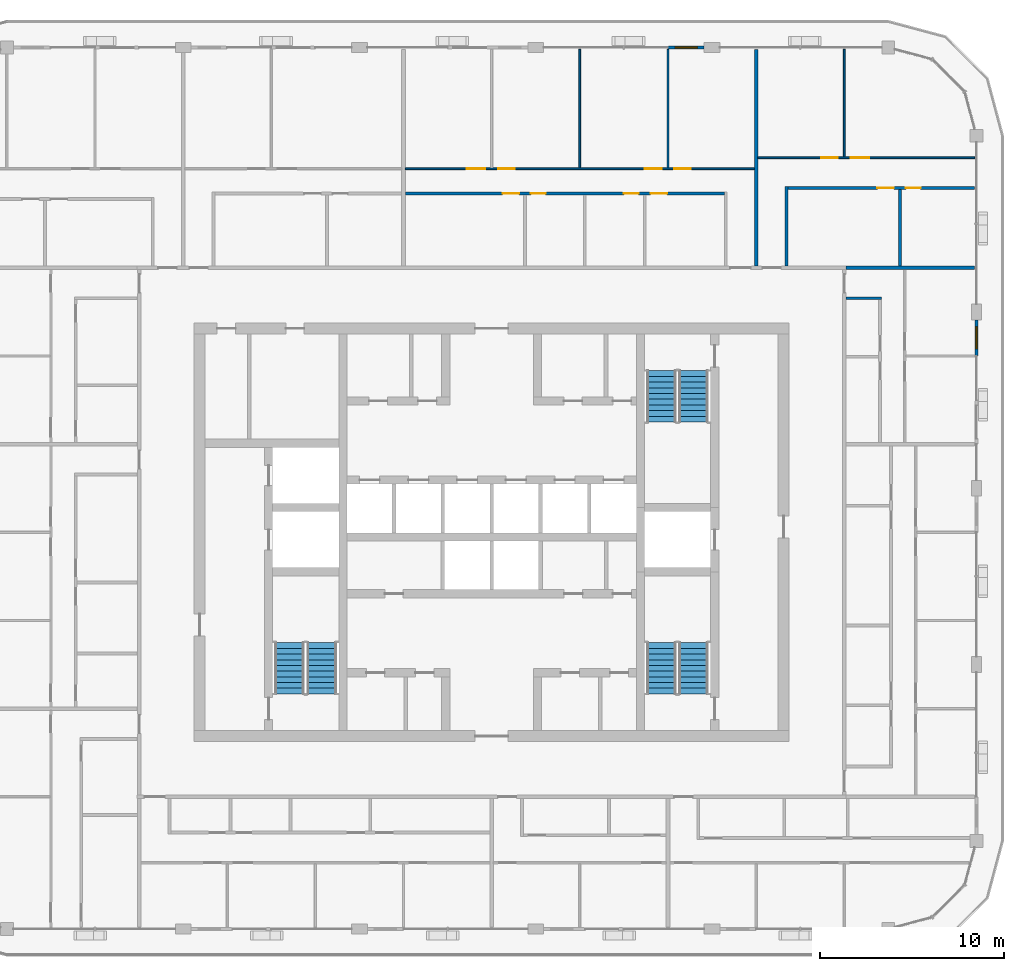
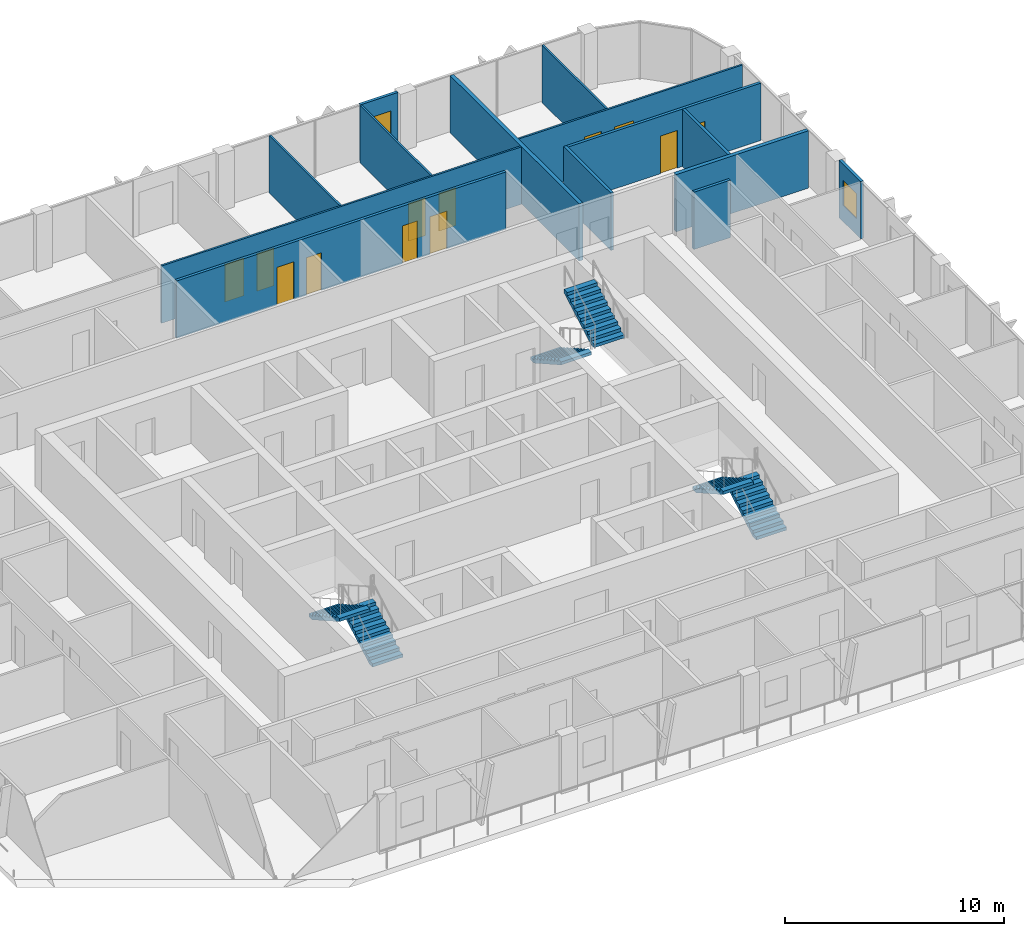
# One storey, part 15 of 21: 14 walls, 12 doors, 6 stair flights, 2 windows, 14 openings, 3 elements without a shape of their own.
"""IFC4 building model written with IfcOpenShell, lengths in metres."""

from ifc_helpers import new_model, si_unit, direction, frame, frame_2d, origin, place, context, subcontext, project, spatial, polyline, rectangle, outline, extrude, material, layer, layer_set, type_object, element, fill, aggregate, save


model = new_model("IFC4")

# Units and contexts
model_context = context("Model", 3, precision=1e-05, world=origin(), true_north=direction((0.0, 1.0)))
body_context = subcontext(model_context, "Body", "Model", "MODEL_VIEW")
ifc_project = project(units=[si_unit("LENGTHUNIT", "METRE"), si_unit("AREAUNIT", "SQUARE_METRE"), si_unit("VOLUMEUNIT", "CUBIC_METRE"), si_unit("PLANEANGLEUNIT", "RADIAN"), si_unit("MASSUNIT", "GRAM", prefix="KILO")], contexts=[model_context])

# Site, building, storey
site_placement = place(None, origin())
site = spatial("IfcSite", under=ifc_project, at=site_placement, CompositionType="ELEMENT")
building_placement = place(site_placement, origin())
building = spatial("IfcBuilding", under=site, at=building_placement, Name="Madar Terraces", CompositionType="ELEMENT")
storey_placement = place(building_placement, frame((0.0, 0.0, 238.699951171875)))
storey = spatial("IfcBuildingStorey", under=building, at=storey_placement, Name="L62", CompositionType="ELEMENT", Elevation=238.699951171875)

# Wall, opening, window
ifc_material_1 = material(Name="Aluminium composite panel, black, over insulated backing", Category="aluminium")
ifc_layer_1 = layer(ifc_material_1, 0.14990234375)
ifc_layer_set_1 = layer_set([ifc_layer_1], Name="Facade bay panel 150")
wall_type_1 = type_object("IfcWallType", Name="Facade bay panel 150", PredefinedType="SOLIDWALL", material=ifc_layer_set_1)
wall_1_placement = place(storey_placement, frame((57.60009765625, 36.0, 0.0), z_axis=(0.0, 0.0, 1.0), x_axis=(0.0, 1.0, 0.0)))
wall_1 = element("IfcWall", 1, at=wall_1_placement, inside=storey, type_object=wall_type_1, Name="Facade bay panel", PredefinedType="SOLIDWALL", context=body_context, shape_type="SweptSolid", body=[
    extrude(rectangle(XDim=1.97509765625, YDim=0.14990234375, at=frame_2d((0.987548828125, 0.0))), origin(), (0.0, 0.0, 1.0), 3.199951171875),
])
opening_1_placement = place(wall_1_placement, frame((0.387451171875, 0.0, 0.89990234375)))
opening_1 = element("IfcOpeningElement", 2, at=opening_1_placement, cuts=wall_1, Name="Opening W1", PredefinedType="OPENING", context=body_context, shape_type="SweptSolid", body=[
    extrude(rectangle(XDim=1.199951171875, YDim=1.39990234375, at=frame_2d((0.60009765625, 0.699951171875))), frame((0.0, 0.0849609375, 0.0), z_axis=(0.0, -1.0, 0.0), x_axis=(1.0, 0.0, 0.0)), (0.0, 0.0, 1.0), 0.169921875),
])
ifc_material_2 = material(Name="Glass, clear, with black aluminium frame", Category="aluminium")
window_type = type_object("IfcWindowType", Name="Vent window 1200 x 1400", PartitioningType="SINGLE_PANEL", PredefinedType="WINDOW", material=ifc_material_2)
window_1_placement = place(opening_1_placement, origin())
window_1 = element("IfcWindow", 3, at=window_1_placement, inside=storey, type_object=window_type, Name="Operable vent window", OverallHeight=1.39990234375, OverallWidth=1.199951171875, PartitioningType="SINGLE_PANEL", PredefinedType="WINDOW", context=body_context, shape_type="SweptSolid", body=[
    extrude(rectangle(XDim=1.199951171875, YDim=1.39990234375, at=frame_2d((0.60009765625, 0.699951171875))), frame((0.0, 0.030029296875, 0.0), z_axis=(0.0, -1.0, 0.0), x_axis=(1.0, 0.0, 0.0)), (0.0, 0.0, 1.0), 0.06005859375),
])
fill(opening_1, window_1)

wall_2_placement = place(storey_placement, frame((42.77490234375, 52.800048828125, 0.0), z_axis=(0.0, 0.0, 1.0), x_axis=(-1.0, 0.0, 0.0)))
wall_2 = element("IfcWall", 4, at=wall_2_placement, inside=storey, type_object=wall_type_1, Name="Facade bay panel", PredefinedType="SOLIDWALL", context=body_context, shape_type="SweptSolid", body=[
    extrude(rectangle(XDim=1.974853515625, YDim=0.14990234375, at=frame_2d((0.9873046875, 0.0))), origin(), (0.0, 0.0, 1.0), 3.199951171875),
])
opening_2_placement = place(wall_2_placement, frame((0.387451171875, 0.0, 0.89990234375)))
opening_2 = element("IfcOpeningElement", 5, at=opening_2_placement, cuts=wall_2, Name="Opening W1", PredefinedType="OPENING", context=body_context, shape_type="SweptSolid", body=[
    extrude(rectangle(XDim=1.199951171875, YDim=1.39990234375, at=frame_2d((0.60009765625, 0.699951171875))), frame((0.0, 0.0849609375, 0.0), z_axis=(0.0, -1.0, 0.0), x_axis=(1.0, 0.0, 0.0)), (0.0, 0.0, 1.0), 0.169921875),
])
window_2_placement = place(opening_2_placement, origin())
window_2 = element("IfcWindow", 6, at=window_2_placement, inside=storey, type_object=window_type, Name="Operable vent window", OverallHeight=1.39990234375, OverallWidth=1.199951171875, PartitioningType="SINGLE_PANEL", PredefinedType="WINDOW", context=body_context, shape_type="SweptSolid", body=[
    extrude(rectangle(XDim=1.199951171875, YDim=1.39990234375, at=frame_2d((0.60009765625, 0.699951171875))), frame((0.0, 0.030029296875, 0.0), z_axis=(0.0, -1.0, 0.0), x_axis=(1.0, 0.0, 0.0)), (0.0, 0.0, 1.0), 0.06005859375),
])
fill(opening_2, window_2)

# Wall
ifc_material_3 = material(Name="Gypsum board on steel studs", Category="steel")
ifc_layer_2 = layer(ifc_material_3, 0.10009765625)
ifc_layer_set_2 = layer_set([ifc_layer_2], Name="Flat partition 100")
wall_type_2 = type_object("IfcWallType", Name="Flat partition 100", PredefinedType="PARTITIONING", material=ifc_layer_set_2)
wall_3_placement = place(storey_placement, frame((50.39990234375, 46.85009765625, 0.0), z_axis=(0.0, 0.0, 1.0), x_axis=(0.0, 1.0, 0.0)))
element("IfcWall", 7, at=wall_3_placement, inside=storey, type_object=wall_type_2, Name="Flat partition 100", PredefinedType="PARTITIONING", context=body_context, shape_type="SweptSolid", body=[
    extrude(rectangle(XDim=5.849853515625, YDim=0.10009765625, at=frame_2d((2.9248046875, 0.0))), origin(), (0.0, 0.0, 1.0), 3.199951171875),
])

# Wall, openings, doors
wall_4_placement = place(storey_placement, frame((45.699951171875, 46.800048828125, 0.0), z_axis=(0.0, 0.0, 1.0), x_axis=(1.0, 0.0, 0.0)))
wall_4 = element("IfcWall", 8, at=wall_4_placement, inside=storey, type_object=wall_type_2, Name="Flat partition 100", PredefinedType="PARTITIONING", context=body_context, shape_type="SweptSolid", body=[
    extrude(rectangle(XDim=11.800048828125, YDim=0.10009765625, at=frame_2d((5.89990234375, 0.0))), origin(), (0.0, 0.0, 1.0), 3.199951171875),
])
opening_3_placement = place(wall_4_placement, frame((3.449951171875, 0.0, 0.0)))
opening_3 = element("IfcOpeningElement", 9, at=opening_3_placement, cuts=wall_4, Name="Opening D2", PredefinedType="OPENING", context=body_context, shape_type="SweptSolid", body=[
    extrude(rectangle(XDim=0.89990234375, YDim=2.10009765625, at=frame_2d((0.449951171875, 1.050048828125))), frame((0.0, 0.06005859375, 0.0), z_axis=(0.0, -1.0, 0.0), x_axis=(1.0, 0.0, 0.0)), (0.0, 0.0, 1.0), 0.1201171875),
])
opening_4_placement = place(wall_4_placement, frame((5.050048828125, 0.0, 0.0)))
opening_4 = element("IfcOpeningElement", 10, at=opening_4_placement, cuts=wall_4, Name="Opening D3", PredefinedType="OPENING", context=body_context, shape_type="SweptSolid", body=[
    extrude(rectangle(XDim=1.0, YDim=2.10009765625, at=frame_2d((0.5, 1.050048828125))), frame((0.0, 0.06005859375, 0.0), z_axis=(0.0, -1.0, 0.0), x_axis=(1.0, 0.0, 0.0)), (0.0, 0.0, 1.0), 0.1201171875),
])
ifc_material_4 = material(Name="Timber door leaf", Category="wood")
door_type_1 = type_object("IfcDoorType", Name="Flat living room door 1000", OperationType="NOTDEFINED", PredefinedType="DOOR", material=ifc_material_4)
door_1_placement = place(opening_4_placement, origin())
door_1 = element("IfcDoor", 11, at=door_1_placement, inside=storey, type_object=door_type_1, Name="Flat living room door 1000", OperationType="SINGLE_SWING_LEFT", OverallHeight=2.10009765625, OverallWidth=1.0, PredefinedType="DOOR", context=body_context, shape_type="SweptSolid", body=[
    extrude(rectangle(XDim=1.0, YDim=2.10009765625, at=frame_2d((0.5, 1.050048828125))), frame((0.0, 0.02490234375, 0.0), z_axis=(0.0, -1.0, 0.0), x_axis=(1.0, 0.0, 0.0)), (0.0, 0.0, 1.0), 0.050048828125),
])
fill(opening_4, door_1)
ifc_material_5 = material(Name="Timber door leaf", Category="wood")
door_type_2 = type_object("IfcDoorType", Name="Flat room door 900", OperationType="NOTDEFINED", PredefinedType="DOOR", material=ifc_material_5)
door_2_placement = place(opening_3_placement, origin())
door_2 = element("IfcDoor", 12, at=door_2_placement, inside=storey, type_object=door_type_2, Name="Flat room door 900", OperationType="SINGLE_SWING_RIGHT", OverallHeight=2.10009765625, OverallWidth=0.89990234375, PredefinedType="DOOR", context=body_context, shape_type="SweptSolid", body=[
    extrude(rectangle(XDim=0.89990234375, YDim=2.10009765625, at=frame_2d((0.449951171875, 1.050048828125))), frame((0.0, 0.02490234375, 0.0), z_axis=(0.0, -1.0, 0.0), x_axis=(1.0, 0.0, 0.0)), (0.0, 0.0, 1.0), 0.050048828125),
])
fill(opening_3, door_2)

# Walls
for number, where, z_axis, x_axis, name in (
    (13, (40.800048828125, 46.25, 0.0), (0.0, 0.0, 1.0), (0.0, 1.0, 0.0), "Flat partition 100"),
    (14, (36.0, 46.25, 0.0), (0.0, 0.0, 1.0), (0.0, 1.0, 0.0), "Flat partition 100"),
):
    element("IfcWall", number, at=place(storey_placement, frame(where, z_axis=z_axis, x_axis=x_axis)), inside=storey, type_object=wall_type_2, Name=name, PredefinedType="PARTITIONING", context=body_context, shape_type="SweptSolid", body=[
        extrude(rectangle(XDim=6.449951171875, YDim=0.10009765625, at=frame_2d((3.22509765625, 0.0))), origin(), (0.0, 0.0, 1.0), 3.199951171875),
    ])

# Wall, openings, doors
wall_5_placement = place(storey_placement, frame((26.5, 46.199951171875, 0.0), z_axis=(0.0, 0.0, 1.0), x_axis=(1.0, 0.0, 0.0)))
wall_5 = element("IfcWall", 15, at=wall_5_placement, inside=storey, type_object=wall_type_2, Name="Flat partition 100", PredefinedType="PARTITIONING", context=body_context, shape_type="SweptSolid", body=[
    extrude(rectangle(XDim=19.0, YDim=0.10009765625, at=frame_2d((9.5, 0.0))), origin(), (0.0, 0.0, 1.0), 3.199951171875),
])
opening_5_placement = place(wall_5_placement, frame((14.64990234375, 0.0, 0.0)))
opening_5 = element("IfcOpeningElement", 16, at=opening_5_placement, cuts=wall_5, Name="Opening D2", PredefinedType="OPENING", context=body_context, shape_type="SweptSolid", body=[
    extrude(rectangle(XDim=0.89990234375, YDim=2.10009765625, at=frame_2d((0.449951171875, 1.050048828125))), frame((0.0, 0.06005859375, 0.0), z_axis=(0.0, -1.0, 0.0), x_axis=(1.0, 0.0, 0.0)), (0.0, 0.0, 1.0), 0.1201171875),
])
opening_6_placement = place(wall_5_placement, frame((13.050048828125, 0.0, 0.0)))
opening_6 = element("IfcOpeningElement", 17, at=opening_6_placement, cuts=wall_5, Name="Opening D2", PredefinedType="OPENING", context=body_context, shape_type="SweptSolid", body=[
    extrude(rectangle(XDim=0.89990234375, YDim=2.10009765625, at=frame_2d((0.449951171875, 1.050048828125))), frame((0.0, 0.06005859375, 0.0), z_axis=(0.0, -1.0, 0.0), x_axis=(1.0, 0.0, 0.0)), (0.0, 0.0, 1.0), 0.1201171875),
])
opening_7_placement = place(wall_5_placement, frame((5.050048828125, 0.0, 0.0)))
opening_7 = element("IfcOpeningElement", 18, at=opening_7_placement, cuts=wall_5, Name="Opening D2", PredefinedType="OPENING", context=body_context, shape_type="SweptSolid", body=[
    extrude(rectangle(XDim=0.89990234375, YDim=2.10009765625, at=frame_2d((0.449951171875, 1.050048828125))), frame((0.0, 0.06005859375, 0.0), z_axis=(0.0, -1.0, 0.0), x_axis=(1.0, 0.0, 0.0)), (0.0, 0.0, 1.0), 0.1201171875),
])
opening_8_placement = place(wall_5_placement, frame((3.35009765625, 0.0, 0.0)))
opening_8 = element("IfcOpeningElement", 19, at=opening_8_placement, cuts=wall_5, Name="Opening D3", PredefinedType="OPENING", context=body_context, shape_type="SweptSolid", body=[
    extrude(rectangle(XDim=1.0, YDim=2.10009765625, at=frame_2d((0.5, 1.050048828125))), frame((0.0, 0.06005859375, 0.0), z_axis=(0.0, -1.0, 0.0), x_axis=(1.0, 0.0, 0.0)), (0.0, 0.0, 1.0), 0.1201171875),
])
door_3_placement = place(opening_8_placement, origin())
door_3 = element("IfcDoor", 20, at=door_3_placement, inside=storey, type_object=door_type_1, Name="Flat living room door 1000", OperationType="SINGLE_SWING_RIGHT", OverallHeight=2.10009765625, OverallWidth=1.0, PredefinedType="DOOR", context=body_context, shape_type="SweptSolid", body=[
    extrude(rectangle(XDim=1.0, YDim=2.10009765625, at=frame_2d((0.5, 1.050048828125))), frame((0.0, 0.02490234375, 0.0), z_axis=(0.0, -1.0, 0.0), x_axis=(1.0, 0.0, 0.0)), (0.0, 0.0, 1.0), 0.050048828125),
])
fill(opening_8, door_3)
door_4_placement = place(opening_5_placement, origin())
door_4 = element("IfcDoor", 21, at=door_4_placement, inside=storey, type_object=door_type_2, Name="Flat room door 900", OperationType="SINGLE_SWING_LEFT", OverallHeight=2.10009765625, OverallWidth=0.89990234375, PredefinedType="DOOR", context=body_context, shape_type="SweptSolid", body=[
    extrude(rectangle(XDim=0.89990234375, YDim=2.10009765625, at=frame_2d((0.449951171875, 1.050048828125))), frame((0.0, 0.02490234375, 0.0), z_axis=(0.0, -1.0, 0.0), x_axis=(1.0, 0.0, 0.0)), (0.0, 0.0, 1.0), 0.050048828125),
])
fill(opening_5, door_4)
door_5_placement = place(opening_6_placement, origin())
door_5 = element("IfcDoor", 22, at=door_5_placement, inside=storey, type_object=door_type_2, Name="Flat room door 900", OperationType="SINGLE_SWING_RIGHT", OverallHeight=2.10009765625, OverallWidth=0.89990234375, PredefinedType="DOOR", context=body_context, shape_type="SweptSolid", body=[
    extrude(rectangle(XDim=0.89990234375, YDim=2.10009765625, at=frame_2d((0.449951171875, 1.050048828125))), frame((0.0, 0.02490234375, 0.0), z_axis=(0.0, -1.0, 0.0), x_axis=(1.0, 0.0, 0.0)), (0.0, 0.0, 1.0), 0.050048828125),
])
fill(opening_6, door_5)
door_6_placement = place(opening_7_placement, origin())
door_6 = element("IfcDoor", 23, at=door_6_placement, inside=storey, type_object=door_type_2, Name="Flat room door 900", OperationType="SINGLE_SWING_LEFT", OverallHeight=2.10009765625, OverallWidth=0.89990234375, PredefinedType="DOOR", context=body_context, shape_type="SweptSolid", body=[
    extrude(rectangle(XDim=0.89990234375, YDim=2.10009765625, at=frame_2d((0.449951171875, 1.050048828125))), frame((0.0, 0.02490234375, 0.0), z_axis=(0.0, -1.0, 0.0), x_axis=(1.0, 0.0, 0.0)), (0.0, 0.0, 1.0), 0.050048828125),
])
fill(opening_7, door_6)

# Walls
ifc_material_6 = material(Name="Lightweight blockwork", Category="masonry")
ifc_layer_3 = layer(ifc_material_6, 0.199951171875)
ifc_layer_set_3 = layer_set([ifc_layer_3], Name="Flat party and entrance wall 200")
wall_type_3 = type_object("IfcWallType", Name="Flat party and entrance wall 200", PredefinedType="PARTITIONING", material=ifc_layer_set_3)
wall_6_placement = place(storey_placement, frame((50.5, 40.800048828125, 0.0), z_axis=(0.0, 0.0, 1.0), x_axis=(1.0, 0.0, 0.0)))
element("IfcWall", 24, at=wall_6_placement, inside=storey, type_object=wall_type_3, Name="Flat party and entrance wall 200", PredefinedType="PARTITIONING", context=body_context, shape_type="SweptSolid", body=[
    extrude(rectangle(XDim=7.0, YDim=0.199951171875, at=frame_2d((3.5, 0.0))), origin(), (0.0, 0.0, 1.0), 3.199951171875),
])
wall_7_placement = place(storey_placement, frame((45.60009765625, 52.699951171875, 0.0), z_axis=(0.0, 0.0, 1.0), x_axis=(0.0, -1.0, 0.0)))
element("IfcWall", 25, at=wall_7_placement, inside=storey, type_object=wall_type_3, Name="Flat party and entrance wall 200", PredefinedType="PARTITIONING", context=body_context, shape_type="SweptSolid", body=[
    extrude(rectangle(XDim=11.800048828125, YDim=0.199951171875, at=frame_2d((5.89990234375, 0.0))), origin(), (0.0, 0.0, 1.0), 3.199951171875),
])
ifc_material_7 = material(Name="Lightweight blockwork", Category="masonry")
ifc_layer_4 = layer(ifc_material_7, 0.14990234375)
ifc_layer_set_4 = layer_set([ifc_layer_4], Name="Flat wet-room partition 150")
wall_type_4 = type_object("IfcWallType", Name="Flat wet-room partition 150", PredefinedType="PARTITIONING", material=ifc_layer_set_4)
wall_8_placement = place(storey_placement, frame((50.5, 39.14990234375, 0.0), z_axis=(0.0, 0.0, 1.0), x_axis=(1.0, 0.0, 0.0)))
element("IfcWall", 26, at=wall_8_placement, inside=storey, type_object=wall_type_4, Name="Flat wet-room partition 150", PredefinedType="PARTITIONING", context=body_context, shape_type="SweptSolid", body=[
    extrude(rectangle(XDim=1.925048828125, YDim=0.14990234375, at=frame_2d((0.96240234375, 0.0))), origin(), (0.0, 0.0, 1.0), 3.199951171875),
])
wall_9_placement = place(storey_placement, frame((53.429931640625, 40.89990234375, 0.0), z_axis=(0.0, 0.0, 1.0), x_axis=(0.0, 1.0, 0.0)))
element("IfcWall", 27, at=wall_9_placement, inside=storey, type_object=wall_type_4, Name="Flat wet-room partition 150", PredefinedType="PARTITIONING", context=body_context, shape_type="SweptSolid", body=[
    extrude(rectangle(XDim=4.175048828125, YDim=0.14990234375, at=frame_2d((2.08740234375, 0.0))), origin(), (0.0, 0.0, 1.0), 3.199951171875),
])
wall_10_placement = place(storey_placement, frame((47.25, 40.89990234375, 0.0), z_axis=(0.0, 0.0, 1.0), x_axis=(0.0, 1.0, 0.0)))
element("IfcWall", 28, at=wall_10_placement, inside=storey, type_object=wall_type_4, Name="Flat wet-room partition 150", PredefinedType="PARTITIONING", context=body_context, shape_type="SweptSolid", body=[
    extrude(rectangle(XDim=4.3251953125, YDim=0.14990234375, at=frame_2d((2.16259765625, 0.0))), origin(), (0.0, 0.0, 1.0), 3.199951171875),
])

# Wall, openings, doors
wall_11_placement = place(storey_placement, frame((57.5, 45.14990234375, 0.0), z_axis=(0.0, 0.0, 1.0), x_axis=(-1.0, 0.0, 0.0)))
wall_11 = element("IfcWall", 29, at=wall_11_placement, inside=storey, type_object=wall_type_4, Name="Flat wet-room partition 150", PredefinedType="PARTITIONING", context=body_context, shape_type="SweptSolid", body=[
    extrude(rectangle(XDim=10.175048828125, YDim=0.14990234375, at=frame_2d((5.08740234375, 0.0))), origin(), (0.0, 0.0, 1.0), 3.199951171875),
])
opening_9_placement = place(wall_11_placement, frame((4.39501953125, 0.0, 0.0)))
opening_9 = element("IfcOpeningElement", 30, at=opening_9_placement, cuts=wall_11, Name="Opening D2", PredefinedType="OPENING", context=body_context, shape_type="SweptSolid", body=[
    extrude(rectangle(XDim=0.89990234375, YDim=2.10009765625, at=frame_2d((0.449951171875, 1.050048828125))), frame((0.0, 0.0849609375, 0.0), z_axis=(0.0, -1.0, 0.0), x_axis=(1.0, 0.0, 0.0)), (0.0, 0.0, 1.0), 0.169921875),
])
opening_10_placement = place(wall_11_placement, frame((2.945068359375, 0.0, 0.0)))
opening_10 = element("IfcOpeningElement", 31, at=opening_10_placement, cuts=wall_11, Name="Opening D4", PredefinedType="OPENING", context=body_context, shape_type="SweptSolid", body=[
    extrude(rectangle(XDim=0.800048828125, YDim=2.10009765625, at=frame_2d((0.39990234375, 1.050048828125))), frame((0.0, 0.0849609375, 0.0), z_axis=(0.0, -1.0, 0.0), x_axis=(1.0, 0.0, 0.0)), (0.0, 0.0, 1.0), 0.169921875),
])
ifc_material_8 = material(Name="Timber door leaf", Category="wood")
door_type_3 = type_object("IfcDoorType", Name="Flat bathroom door 800", OperationType="NOTDEFINED", PredefinedType="DOOR", material=ifc_material_8)
door_7_placement = place(opening_10_placement, origin())
door_7 = element("IfcDoor", 32, at=door_7_placement, inside=storey, type_object=door_type_3, Name="Flat bathroom door 800", OperationType="SINGLE_SWING_RIGHT", OverallHeight=2.10009765625, OverallWidth=0.800048828125, PredefinedType="DOOR", context=body_context, shape_type="SweptSolid", body=[
    extrude(rectangle(XDim=0.800048828125, YDim=2.10009765625, at=frame_2d((0.39990234375, 1.050048828125))), frame((0.0, 0.02490234375, 0.0), z_axis=(0.0, -1.0, 0.0), x_axis=(1.0, 0.0, 0.0)), (0.0, 0.0, 1.0), 0.050048828125),
])
fill(opening_10, door_7)
door_8_placement = place(opening_9_placement, origin())
door_8 = element("IfcDoor", 33, at=door_8_placement, inside=storey, type_object=door_type_2, Name="Flat room door 900", OperationType="SINGLE_SWING_LEFT", OverallHeight=2.10009765625, OverallWidth=0.89990234375, PredefinedType="DOOR", context=body_context, shape_type="SweptSolid", body=[
    extrude(rectangle(XDim=0.89990234375, YDim=2.10009765625, at=frame_2d((0.449951171875, 1.050048828125))), frame((0.0, 0.02490234375, 0.0), z_axis=(0.0, -1.0, 0.0), x_axis=(1.0, 0.0, 0.0)), (0.0, 0.0, 1.0), 0.050048828125),
])
fill(opening_9, door_8)

wall_12_placement = place(storey_placement, frame((43.875, 44.85009765625, 0.0), z_axis=(0.0, 0.0, 1.0), x_axis=(-1.0, 0.0, 0.0)))
wall_12 = element("IfcWall", 34, at=wall_12_placement, inside=storey, type_object=wall_type_4, Name="Flat wet-room partition 150", PredefinedType="PARTITIONING", context=body_context, shape_type="SweptSolid", body=[
    extrude(rectangle(XDim=17.375, YDim=0.14990234375, at=frame_2d((8.6875, 0.0))), origin(), (0.0, 0.0, 1.0), 3.199951171875),
])
opening_11_placement = place(wall_12_placement, frame((3.118896484375, 0.0, 0.0)))
opening_11 = element("IfcOpeningElement", 35, at=opening_11_placement, cuts=wall_12, Name="Opening D5", PredefinedType="OPENING", context=body_context, shape_type="SweptSolid", body=[
    extrude(rectangle(XDim=0.89990234375, YDim=2.10009765625, at=frame_2d((0.449951171875, 1.050048828125))), frame((0.0, 0.0849609375, 0.0), z_axis=(0.0, -1.0, 0.0), x_axis=(1.0, 0.0, 0.0)), (0.0, 0.0, 1.0), 0.169921875),
])
opening_12_placement = place(wall_12_placement, frame((4.668701171875, 0.0, 0.0)))
opening_12 = element("IfcOpeningElement", 36, at=opening_12_placement, cuts=wall_12, Name="Opening D4", PredefinedType="OPENING", context=body_context, shape_type="SweptSolid", body=[
    extrude(rectangle(XDim=0.800048828125, YDim=2.10009765625, at=frame_2d((0.39990234375, 1.050048828125))), frame((0.0, 0.0849609375, 0.0), z_axis=(0.0, -1.0, 0.0), x_axis=(1.0, 0.0, 0.0)), (0.0, 0.0, 1.0), 0.169921875),
])
opening_13_placement = place(wall_12_placement, frame((9.734375, 0.0, 0.0)))
opening_13 = element("IfcOpeningElement", 37, at=opening_13_placement, cuts=wall_12, Name="Opening D7", PredefinedType="OPENING", context=body_context, shape_type="SweptSolid", body=[
    extrude(rectangle(XDim=0.800048828125, YDim=2.10009765625, at=frame_2d((0.39990234375, 1.050048828125))), frame((0.0, 0.0849609375, 0.0), z_axis=(0.0, -1.0, 0.0), x_axis=(1.0, 0.0, 0.0)), (0.0, 0.0, 1.0), 0.169921875),
])
opening_14_placement = place(wall_12_placement, frame((11.184326171875, 0.0, 0.0)))
opening_14 = element("IfcOpeningElement", 38, at=opening_14_placement, cuts=wall_12, Name="Opening D2", PredefinedType="OPENING", context=body_context, shape_type="SweptSolid", body=[
    extrude(rectangle(XDim=0.89990234375, YDim=2.10009765625, at=frame_2d((0.449951171875, 1.050048828125))), frame((0.0, 0.0849609375, 0.0), z_axis=(0.0, -1.0, 0.0), x_axis=(1.0, 0.0, 0.0)), (0.0, 0.0, 1.0), 0.169921875),
])
ifc_material_9 = material(Name="Timber door leaf", Category="wood")
door_type_4 = type_object("IfcDoorType", Name="Flat accessible bathroom door 900", OperationType="NOTDEFINED", PredefinedType="DOOR", material=ifc_material_9)
door_9_placement = place(opening_11_placement, origin())
door_9 = element("IfcDoor", 39, at=door_9_placement, inside=storey, type_object=door_type_4, Name="Flat accessible bathroom door 900", OperationType="SINGLE_SWING_RIGHT", OverallHeight=2.10009765625, OverallWidth=0.89990234375, PredefinedType="DOOR", context=body_context, shape_type="SweptSolid", body=[
    extrude(rectangle(XDim=0.89990234375, YDim=2.10009765625, at=frame_2d((0.449951171875, 1.050048828125))), frame((0.0, 0.02490234375, 0.0), z_axis=(0.0, -1.0, 0.0), x_axis=(1.0, 0.0, 0.0)), (0.0, 0.0, 1.0), 0.050048828125),
])
fill(opening_11, door_9)
door_10_placement = place(opening_12_placement, origin())
door_10 = element("IfcDoor", 40, at=door_10_placement, inside=storey, type_object=door_type_3, Name="Flat bathroom door 800", OperationType="SINGLE_SWING_LEFT", OverallHeight=2.10009765625, OverallWidth=0.800048828125, PredefinedType="DOOR", context=body_context, shape_type="SweptSolid", body=[
    extrude(rectangle(XDim=0.800048828125, YDim=2.10009765625, at=frame_2d((0.39990234375, 1.050048828125))), frame((0.0, 0.02490234375, 0.0), z_axis=(0.0, -1.0, 0.0), x_axis=(1.0, 0.0, 0.0)), (0.0, 0.0, 1.0), 0.050048828125),
])
fill(opening_12, door_10)
door_11_placement = place(opening_14_placement, origin())
door_11 = element("IfcDoor", 41, at=door_11_placement, inside=storey, type_object=door_type_2, Name="Flat room door 900", OperationType="SINGLE_SWING_LEFT", OverallHeight=2.10009765625, OverallWidth=0.89990234375, PredefinedType="DOOR", context=body_context, shape_type="SweptSolid", body=[
    extrude(rectangle(XDim=0.89990234375, YDim=2.10009765625, at=frame_2d((0.449951171875, 1.050048828125))), frame((0.0, 0.02490234375, 0.0), z_axis=(0.0, -1.0, 0.0), x_axis=(1.0, 0.0, 0.0)), (0.0, 0.0, 1.0), 0.050048828125),
])
fill(opening_14, door_11)
ifc_material_10 = material(Name="Timber door leaf", Category="wood")
door_type_5 = type_object("IfcDoorType", Name="Flat utility door 800", OperationType="NOTDEFINED", PredefinedType="DOOR", material=ifc_material_10)
door_12_placement = place(opening_13_placement, origin())
door_12 = element("IfcDoor", 42, at=door_12_placement, inside=storey, type_object=door_type_5, Name="Flat utility door 800", OperationType="SINGLE_SWING_RIGHT", OverallHeight=2.10009765625, OverallWidth=0.800048828125, PredefinedType="DOOR", context=body_context, shape_type="SweptSolid", body=[
    extrude(rectangle(XDim=0.800048828125, YDim=2.10009765625, at=frame_2d((0.39990234375, 1.050048828125))), frame((0.0, 0.02490234375, 0.0), z_axis=(0.0, -1.0, 0.0), x_axis=(1.0, 0.0, 0.0)), (0.0, 0.0, 1.0), 0.050048828125),
])
fill(opening_13, door_12)

# Stair, stair flights
ifc_material_11 = material(Name="Concrete C50/60", Category="concrete")
stair_type_1 = type_object("IfcStairType", Name="Stair ST1 protected exit", PredefinedType="HALF_TURN_STAIR", material=ifc_material_11)
stair_1_placement = place(storey_placement, origin())
stair_1 = element("IfcStair", 43, at=stair_1_placement, inside=storey, type_object=stair_type_1, Name="L62 Protected Exit Stair ST1", PredefinedType="HALF_TURN_STAIR")
ifc_material_12 = material(Name="Concrete C50/60", Category="concrete")
stair_flight_type_1 = type_object("IfcStairFlightType", Name="Stair flight ST1-F4, 1600 wide, 10 risers", PredefinedType="STRAIGHT", material=ifc_material_12)
stair_flight_1_placement = place(storey_placement, frame((21.949951171875, 17.60009765625, 0.0), z_axis=(0.0, 0.0, 1.0), x_axis=(0.0, 1.0, 0.0)))
stair_flight_1 = element("IfcStairFlight", 44, at=stair_flight_1_placement, type_object=stair_flight_type_1, Name="ST1 flight 1", NumberOfRisers=10, NumberOfTreads=9, PredefinedType="STRAIGHT", RiserHeight=0.175, TreadLength=0.31, context=body_context, shape_type="SweptSolid", body=[
    extrude(outline(polyline([(0.0, 0.0), (0.0, 0.175048828125), (0.31005859375, 0.175048828125), (0.31005859375, 0.35009765625), (0.6201171875, 0.35009765625), (0.6201171875, 0.52490234375), (0.929931640625, 0.52490234375), (0.929931640625, 0.699951171875), (1.239990234375, 0.699951171875), (1.239990234375, 0.875), (1.550048828125, 0.875), (1.550048828125, 1.050048828125), (1.860107421875, 1.050048828125), (1.860107421875, 1.22509765625), (2.169921875, 1.22509765625), (2.169921875, 1.39990234375), (2.47998046875, 1.39990234375), (2.47998046875, 1.574951171875), (2.7900390625, 1.574951171875), (2.7900390625, 1.75), (2.7900390625, 1.40283203125), (0.304931640625, 0.0), (0.0, 0.0)])), frame((0.0, 0.800048828125, 0.0), z_axis=(0.0, -1.0, 0.0), x_axis=(1.0, 0.0, 0.0)), (0.0, 0.0, 1.0), 1.60009765625),
])
stair_flight_2_placement = place(storey_placement, frame((20.199951171875, 20.389892578125, 1.75), z_axis=(0.0, 0.0, 1.0), x_axis=(0.0, -1.0, 0.0)))
stair_flight_2 = element("IfcStairFlight", 45, at=stair_flight_2_placement, type_object=stair_flight_type_1, Name="ST1 flight 2", NumberOfRisers=10, NumberOfTreads=9, PredefinedType="STRAIGHT", RiserHeight=0.175, TreadLength=0.31, context=body_context, shape_type="SweptSolid", body=[
    extrude(outline(polyline([(0.0, 0.0), (0.0, 0.175048828125), (0.31005859375, 0.175048828125), (0.31005859375, 0.35009765625), (0.6201171875, 0.35009765625), (0.6201171875, 0.52490234375), (0.929931640625, 0.52490234375), (0.929931640625, 0.699951171875), (1.239990234375, 0.699951171875), (1.239990234375, 0.875), (1.550048828125, 0.875), (1.550048828125, 1.050048828125), (1.860107421875, 1.050048828125), (1.860107421875, 1.22509765625), (2.169921875, 1.22509765625), (2.169921875, 1.39990234375), (2.47998046875, 1.39990234375), (2.47998046875, 1.574951171875), (2.7900390625, 1.574951171875), (2.7900390625, 1.75), (2.7900390625, 1.40283203125), (0.304931640625, 0.0), (0.0, 0.0)])), frame((0.0, 0.800048828125, 0.0), z_axis=(0.0, -1.0, 0.0), x_axis=(1.0, 0.0, 0.0)), (0.0, 0.0, 1.0), 1.60009765625),
])
aggregate(stair_1, [stair_flight_1, stair_flight_2])

ifc_material_13 = material(Name="Concrete C50/60", Category="concrete")
stair_type_2 = type_object("IfcStairType", Name="Stair ST2 protected exit", PredefinedType="HALF_TURN_STAIR", material=ifc_material_13)
stair_2_placement = place(storey_placement, origin())
stair_2 = element("IfcStair", 46, at=stair_2_placement, inside=storey, type_object=stair_type_2, Name="L62 Protected Exit Stair ST2", PredefinedType="HALF_TURN_STAIR")
ifc_material_14 = material(Name="Concrete C50/60", Category="concrete")
stair_flight_type_2 = type_object("IfcStairFlightType", Name="Stair flight ST2-F4, 1600 wide, 10 risers", PredefinedType="STRAIGHT", material=ifc_material_14)
stair_flight_3_placement = place(storey_placement, frame((40.449951171875, 35.199951171875, 0.0), z_axis=(0.0, 0.0, 1.0), x_axis=(0.0, -1.0, 0.0)))
stair_flight_3 = element("IfcStairFlight", 47, at=stair_flight_3_placement, type_object=stair_flight_type_2, Name="ST2 flight 1", NumberOfRisers=10, NumberOfTreads=9, PredefinedType="STRAIGHT", RiserHeight=0.175, TreadLength=0.31, context=body_context, shape_type="SweptSolid", body=[
    extrude(outline(polyline([(0.0, 0.0), (0.0, 0.175048828125), (0.31005859375, 0.175048828125), (0.31005859375, 0.35009765625), (0.6201171875, 0.35009765625), (0.6201171875, 0.52490234375), (0.929931640625, 0.52490234375), (0.929931640625, 0.699951171875), (1.239990234375, 0.699951171875), (1.239990234375, 0.875), (1.550048828125, 0.875), (1.550048828125, 1.050048828125), (1.860107421875, 1.050048828125), (1.860107421875, 1.22509765625), (2.169921875, 1.22509765625), (2.169921875, 1.39990234375), (2.47998046875, 1.39990234375), (2.47998046875, 1.574951171875), (2.7900390625, 1.574951171875), (2.7900390625, 1.75), (2.7900390625, 1.40283203125), (0.304931640625, 0.0), (0.0, 0.0)])), frame((0.0, 0.800048828125, 0.0), z_axis=(0.0, -1.0, 0.0), x_axis=(1.0, 0.0, 0.0)), (0.0, 0.0, 1.0), 1.60009765625),
])
stair_flight_4_placement = place(storey_placement, frame((42.199951171875, 32.409912109375, 1.75), z_axis=(0.0, 0.0, 1.0), x_axis=(0.0, 1.0, 0.0)))
stair_flight_4 = element("IfcStairFlight", 48, at=stair_flight_4_placement, type_object=stair_flight_type_2, Name="ST2 flight 2", NumberOfRisers=10, NumberOfTreads=9, PredefinedType="STRAIGHT", RiserHeight=0.175, TreadLength=0.31, context=body_context, shape_type="SweptSolid", body=[
    extrude(outline(polyline([(0.0, 0.0), (0.0, 0.175048828125), (0.31005859375, 0.175048828125), (0.31005859375, 0.35009765625), (0.6201171875, 0.35009765625), (0.6201171875, 0.52490234375), (0.929931640625, 0.52490234375), (0.929931640625, 0.699951171875), (1.239990234375, 0.699951171875), (1.239990234375, 0.875), (1.550048828125, 0.875), (1.550048828125, 1.050048828125), (1.860107421875, 1.050048828125), (1.860107421875, 1.22509765625), (2.169921875, 1.22509765625), (2.169921875, 1.39990234375), (2.47998046875, 1.39990234375), (2.47998046875, 1.574951171875), (2.7900390625, 1.574951171875), (2.7900390625, 1.75), (2.7900390625, 1.40283203125), (0.304931640625, 0.0), (0.0, 0.0)])), frame((0.0, 0.800048828125, 0.0), z_axis=(0.0, -1.0, 0.0), x_axis=(1.0, 0.0, 0.0)), (0.0, 0.0, 1.0), 1.60009765625),
])
aggregate(stair_2, [stair_flight_3, stair_flight_4])

ifc_material_15 = material(Name="Concrete C50/60", Category="concrete")
stair_type_3 = type_object("IfcStairType", Name="Stair ST3 protected exit", PredefinedType="HALF_TURN_STAIR", material=ifc_material_15)
stair_3_placement = place(storey_placement, origin())
stair_3 = element("IfcStair", 49, at=stair_3_placement, inside=storey, type_object=stair_type_3, Name="L62 Protected Exit Stair ST3", PredefinedType="HALF_TURN_STAIR")
ifc_material_16 = material(Name="Concrete C50/60", Category="concrete")
stair_flight_type_3 = type_object("IfcStairFlightType", Name="Stair flight ST3-F4, 1600 wide, 10 risers", PredefinedType="STRAIGHT", material=ifc_material_16)
stair_flight_5_placement = place(storey_placement, frame((42.199951171875, 17.60009765625, 0.0), z_axis=(0.0, 0.0, 1.0), x_axis=(0.0, 1.0, 0.0)))
stair_flight_5 = element("IfcStairFlight", 50, at=stair_flight_5_placement, type_object=stair_flight_type_3, Name="ST3 flight 1", NumberOfRisers=10, NumberOfTreads=9, PredefinedType="STRAIGHT", RiserHeight=0.175, TreadLength=0.31, context=body_context, shape_type="SweptSolid", body=[
    extrude(outline(polyline([(0.0, 0.0), (0.0, 0.175048828125), (0.31005859375, 0.175048828125), (0.31005859375, 0.35009765625), (0.6201171875, 0.35009765625), (0.6201171875, 0.52490234375), (0.929931640625, 0.52490234375), (0.929931640625, 0.699951171875), (1.239990234375, 0.699951171875), (1.239990234375, 0.875), (1.550048828125, 0.875), (1.550048828125, 1.050048828125), (1.860107421875, 1.050048828125), (1.860107421875, 1.22509765625), (2.169921875, 1.22509765625), (2.169921875, 1.39990234375), (2.47998046875, 1.39990234375), (2.47998046875, 1.574951171875), (2.7900390625, 1.574951171875), (2.7900390625, 1.75), (2.7900390625, 1.40283203125), (0.304931640625, 0.0), (0.0, 0.0)])), frame((0.0, 0.800048828125, 0.0), z_axis=(0.0, -1.0, 0.0), x_axis=(1.0, 0.0, 0.0)), (0.0, 0.0, 1.0), 1.60009765625),
])
stair_flight_6_placement = place(storey_placement, frame((40.449951171875, 20.389892578125, 1.75), z_axis=(0.0, 0.0, 1.0), x_axis=(0.0, -1.0, 0.0)))
stair_flight_6 = element("IfcStairFlight", 51, at=stair_flight_6_placement, type_object=stair_flight_type_3, Name="ST3 flight 2", NumberOfRisers=10, NumberOfTreads=9, PredefinedType="STRAIGHT", RiserHeight=0.175, TreadLength=0.31, context=body_context, shape_type="SweptSolid", body=[
    extrude(outline(polyline([(0.0, 0.0), (0.0, 0.175048828125), (0.31005859375, 0.175048828125), (0.31005859375, 0.35009765625), (0.6201171875, 0.35009765625), (0.6201171875, 0.52490234375), (0.929931640625, 0.52490234375), (0.929931640625, 0.699951171875), (1.239990234375, 0.699951171875), (1.239990234375, 0.875), (1.550048828125, 0.875), (1.550048828125, 1.050048828125), (1.860107421875, 1.050048828125), (1.860107421875, 1.22509765625), (2.169921875, 1.22509765625), (2.169921875, 1.39990234375), (2.47998046875, 1.39990234375), (2.47998046875, 1.574951171875), (2.7900390625, 1.574951171875), (2.7900390625, 1.75), (2.7900390625, 1.40283203125), (0.304931640625, 0.0), (0.0, 0.0)])), frame((0.0, 0.800048828125, 0.0), z_axis=(0.0, -1.0, 0.0), x_axis=(1.0, 0.0, 0.0)), (0.0, 0.0, 1.0), 1.60009765625),
])
aggregate(stair_3, [stair_flight_5, stair_flight_6])

save(model, "model.ifc")
